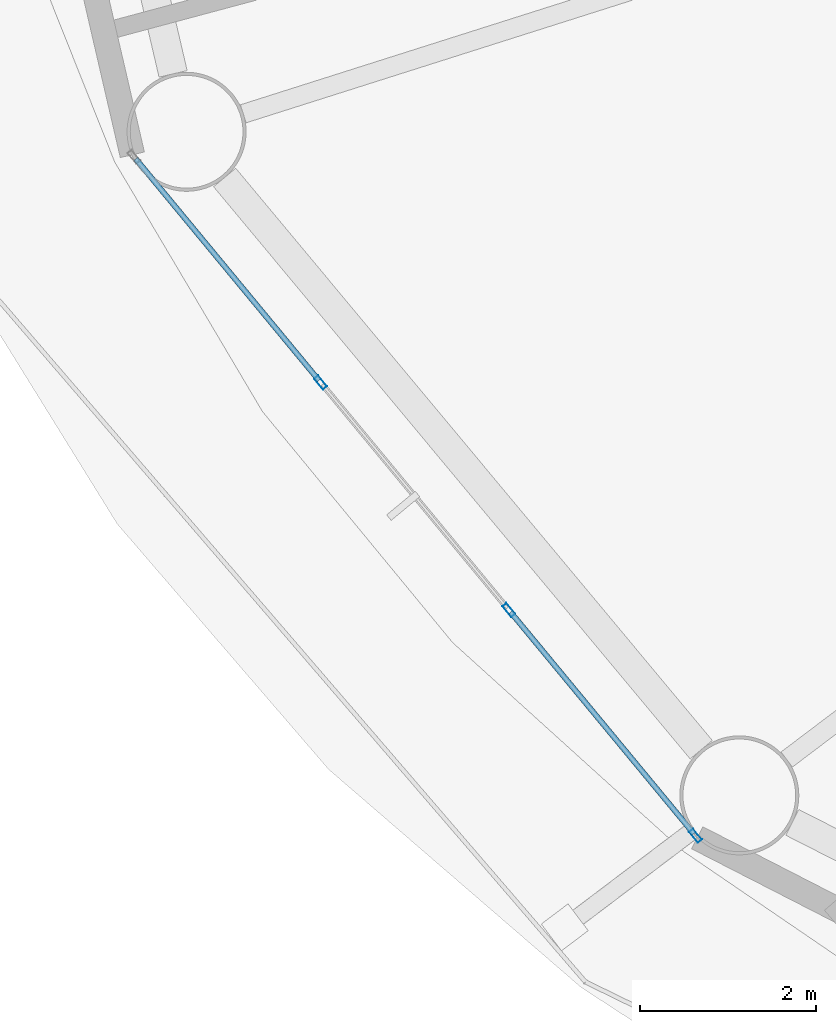
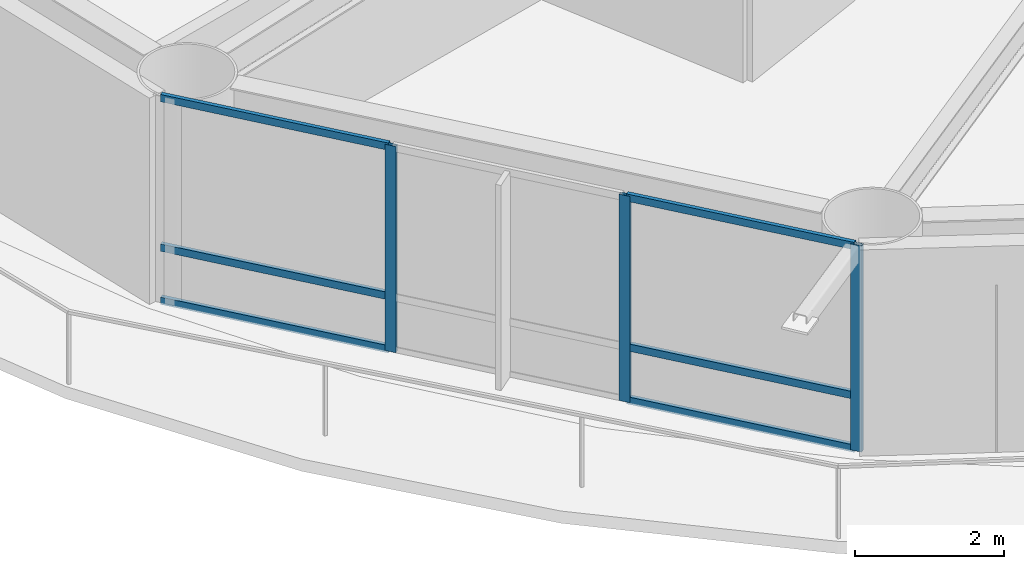
# One storey, part 2 of 26: 9 members, 1 element without a shape of its own.
"""IFC4 building model written with IfcOpenShell, lengths in metres."""

from ifc_helpers import new_model, si_unit, direction, frame, origin, origin_2d, place, context, subcontext, project, spatial, hollow_rectangle, extrude, material, layer, layer_set, material_profile, profile_set, type_object, element, aggregate, save


model = new_model("IFC4")

# Units and contexts
model_context = context("Model", 3, precision=1e-05, world=origin(), true_north=direction((0.0, 1.0)))
body_context = subcontext(model_context, "Body", "Model", "MODEL_VIEW")
ifc_project = project(units=[si_unit("LENGTHUNIT", "METRE"), si_unit("AREAUNIT", "SQUARE_METRE"), si_unit("VOLUMEUNIT", "CUBIC_METRE"), si_unit("PLANEANGLEUNIT", "RADIAN"), si_unit("MASSUNIT", "GRAM", prefix="KILO")], contexts=[model_context])

# Site, building, storey
site_placement = place(None, origin())
site = spatial("IfcSite", under=ifc_project, at=site_placement, CompositionType="ELEMENT")
building_placement = place(site_placement, origin())
building = spatial("IfcBuilding", under=site, at=building_placement, Name="Sarneth Arch Tower", CompositionType="ELEMENT")
storey_placement = place(building_placement, frame((0.0, 0.0, 46.199951171875)))
storey = spatial("IfcBuildingStorey", under=building, at=storey_placement, Name="L10", CompositionType="ELEMENT", Elevation=46.199951171875)

# Curtain wall, members
ifc_material_1 = material(Name="Anodised aluminium Type AA25 and solar-control low-e laminated IGU", Category="aluminium")
ifc_layer = layer(ifc_material_1, 0.159912109375)
ifc_layer_set = layer_set([ifc_layer], Name="Anodised aluminium Type AA25 and solar-control low-e laminated IGU")
curtain_wall_type = type_object("IfcCurtainWallType", Name="CW-HOTEL-LOW", PredefinedType="NOTDEFINED", material=ifc_layer_set)
curtain_wall_placement = place(storey_placement, origin())
curtain_wall = element("IfcCurtainWall", 1, at=curtain_wall_placement, inside=storey, type_object=curtain_wall_type, Name="L10 Unitised curtain wall facet 10", PredefinedType="NOTDEFINED")
ifc_material_2 = material(Name="Anodised Aluminium 6063-T6", Category="aluminium")
ifc_material_profile_1 = material_profile(ifc_material_2, hollow_rectangle(XDim=0.06005859375, YDim=0.159912109375, WallThickness=0.00390625, at=origin_2d()), Name="AL-MULL-160x60x4")
ifc_profile_set_1 = profile_set([ifc_material_profile_1], Name="Anodised Aluminium 6063-T6")
member_type_1 = type_object("IfcMemberType", Name="CW-MULLION", PredefinedType="MULLION", material=ifc_profile_set_1)
member_1_placement = place(storey_placement, frame((21.5546875, 30.279052734375, 0.0), z_axis=(0.0, 0.0, 1.0), x_axis=(0.770622960278, 0.637291340827, 0.0)))
member_1 = element("IfcMember", 2, at=member_1_placement, type_object=member_type_1, Name="CW-SYS-3 mullion 2", PredefinedType="MULLION", context=body_context, shape_type="SweptSolid", body=[
    extrude(hollow_rectangle(XDim=0.06005859375, YDim=0.159912109375, WallThickness=0.00390625, at=origin_2d()), origin(), (0.0, 0.0, 1.0), 3.380126953125),
])
member_2_placement = place(storey_placement, frame((23.690185546875, 27.69677734375, 0.0), z_axis=(0.0, 0.0, 1.0), x_axis=(0.770622960278, 0.637291340827, 0.0)))
member_2 = element("IfcMember", 3, at=member_2_placement, type_object=member_type_1, Name="CW-SYS-3 mullion 3", PredefinedType="MULLION", context=body_context, shape_type="SweptSolid", body=[
    extrude(hollow_rectangle(XDim=0.06005859375, YDim=0.159912109375, WallThickness=0.00390625, at=origin_2d()), origin(), (0.0, 0.0, 1.0), 3.380126953125),
])
member_3_placement = place(storey_placement, frame((25.806640625, 25.137451171875, 0.0), z_axis=(0.0, 0.0, 1.0), x_axis=(0.770622960278, 0.637291340827, 0.0)))
member_3 = element("IfcMember", 4, at=member_3_placement, type_object=member_type_1, Name="CW-SYS-3 mullion 4", PredefinedType="MULLION", context=body_context, shape_type="SweptSolid", body=[
    extrude(hollow_rectangle(XDim=0.06005859375, YDim=0.159912109375, WallThickness=0.00390625, at=origin_2d()), origin(), (0.0, 0.0, 1.0), 3.380126953125),
])
ifc_material_3 = material(Name="Anodised Aluminium 6063-T6", Category="aluminium")
ifc_material_profile_2 = material_profile(ifc_material_3, hollow_rectangle(XDim=0.06005859375, YDim=0.1201171875, WallThickness=0.00390625, at=origin_2d()), Name="AL-TRAN-120x60x4")
ifc_profile_set_2 = profile_set([ifc_material_profile_2], Name="Anodised Aluminium 6063-T6")
member_type_2 = type_object("IfcMemberType", Name="CW-TRANSOM", PredefinedType="USERDEFINED", material=ifc_profile_set_2)
member_4_placement = place(storey_placement, frame((19.457275390625, 32.815185546875, 0.030029296875), z_axis=(0.63733019572, -0.77059082633, 0.0), x_axis=(0.77059082633, 0.63733019572, 0.0)))
member_4 = element("IfcMember", 5, at=member_4_placement, type_object=member_type_2, Name="CW-SYS-3 transom 1.1", ObjectType="TRANSOM", PredefinedType="USERDEFINED", context=body_context, shape_type="SweptSolid", body=[
    extrude(hollow_rectangle(XDim=0.06005859375, YDim=0.1201171875, WallThickness=0.00390625, at=origin_2d()), origin(), (0.0, 0.0, 1.0), 3.260986328125),
])
member_5_placement = place(storey_placement, frame((19.457275390625, 32.815185546875, 0.900146484375), z_axis=(0.63733019572, -0.77059082633, 0.0), x_axis=(0.77059082633, 0.63733019572, 0.0)))
member_5 = element("IfcMember", 6, at=member_5_placement, type_object=member_type_2, Name="CW-SYS-3 transom 1.2", ObjectType="TRANSOM", PredefinedType="USERDEFINED", context=body_context, shape_type="SweptSolid", body=[
    extrude(hollow_rectangle(XDim=0.06005859375, YDim=0.1201171875, WallThickness=0.00390625, at=origin_2d()), origin(), (0.0, 0.0, 1.0), 3.260986328125),
])
member_6_placement = place(storey_placement, frame((19.457275390625, 32.815185546875, 3.35009765625), z_axis=(0.63733019572, -0.77059082633, 0.0), x_axis=(0.77059082633, 0.63733019572, 0.0)))
member_6 = element("IfcMember", 7, at=member_6_placement, type_object=member_type_2, Name="CW-SYS-3 transom 1.3", ObjectType="TRANSOM", PredefinedType="USERDEFINED", context=body_context, shape_type="SweptSolid", body=[
    extrude(hollow_rectangle(XDim=0.06005859375, YDim=0.1201171875, WallThickness=0.00390625, at=origin_2d()), origin(), (0.0, 0.0, 1.0), 3.260986328125),
])
member_7_placement = place(storey_placement, frame((23.70947265625, 27.673583984375, 0.030029296875), z_axis=(0.637285736625, -0.770627594817, 0.0), x_axis=(0.770627594817, 0.637285736625, 0.0)))
member_7 = element("IfcMember", 8, at=member_7_placement, type_object=member_type_2, Name="CW-SYS-3 transom 3.1", ObjectType="TRANSOM", PredefinedType="USERDEFINED", context=body_context, shape_type="SweptSolid", body=[
    extrude(hollow_rectangle(XDim=0.06005859375, YDim=0.1201171875, WallThickness=0.00390625, at=origin_2d()), origin(), (0.0, 0.0, 1.0), 3.260986328125),
])
member_8_placement = place(storey_placement, frame((23.70947265625, 27.673583984375, 0.900146484375), z_axis=(0.637285736625, -0.770627594817, 0.0), x_axis=(0.770627594817, 0.637285736625, 0.0)))
member_8 = element("IfcMember", 9, at=member_8_placement, type_object=member_type_2, Name="CW-SYS-3 transom 3.2", ObjectType="TRANSOM", PredefinedType="USERDEFINED", context=body_context, shape_type="SweptSolid", body=[
    extrude(hollow_rectangle(XDim=0.06005859375, YDim=0.1201171875, WallThickness=0.00390625, at=origin_2d()), origin(), (0.0, 0.0, 1.0), 3.260986328125),
])
member_9_placement = place(storey_placement, frame((23.70947265625, 27.673583984375, 3.35009765625), z_axis=(0.637285736625, -0.770627594817, 0.0), x_axis=(0.770627594817, 0.637285736625, 0.0)))
member_9 = element("IfcMember", 10, at=member_9_placement, type_object=member_type_2, Name="CW-SYS-3 transom 3.3", ObjectType="TRANSOM", PredefinedType="USERDEFINED", context=body_context, shape_type="SweptSolid", body=[
    extrude(hollow_rectangle(XDim=0.06005859375, YDim=0.1201171875, WallThickness=0.00390625, at=origin_2d()), origin(), (0.0, 0.0, 1.0), 3.260986328125),
])
aggregate(curtain_wall, [member_1, member_2, member_3, member_4, member_5, member_6, member_7, member_8, member_9])

save(model, "model.ifc")
